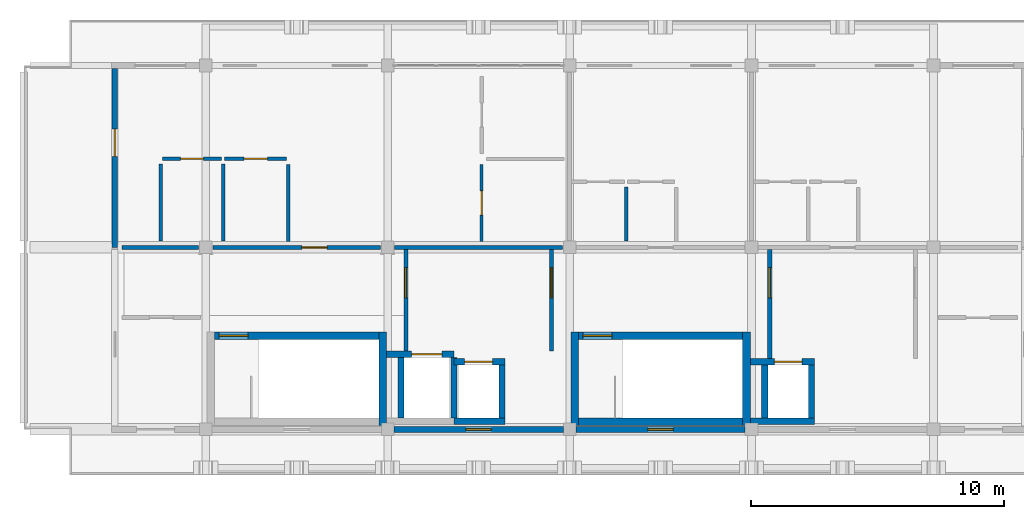
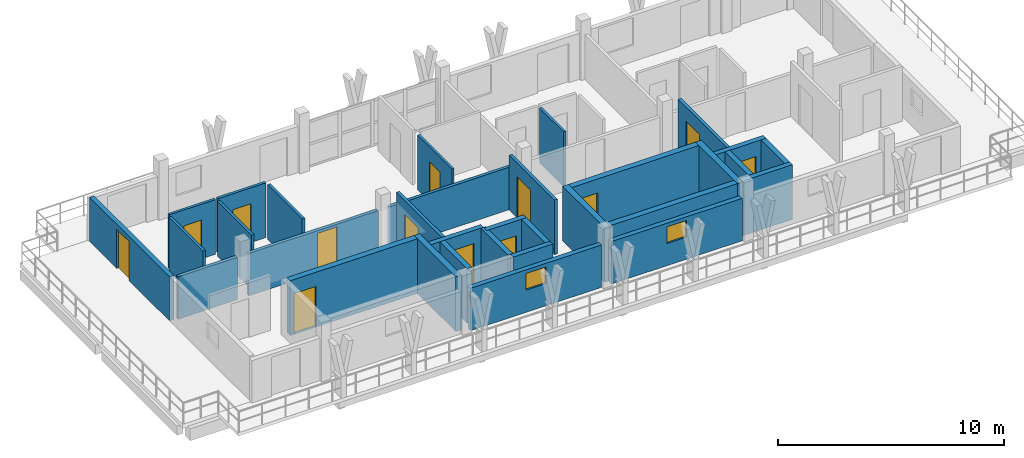
# One storey, part 4 of 7: 32 walls, 13 doors, 2 windows, 15 openings.
"""IFC4 building model written with IfcOpenShell, lengths in metres."""

from ifc_helpers import new_model, si_unit, direction, frame, frame_2d, origin, place, context, subcontext, project, spatial, rectangle, extrude, material, layer, layer_set, type_object, element, fill, save


model = new_model("IFC4")

# Units and contexts
model_context = context("Model", 3, precision=1e-05, world=origin(), true_north=direction((0.0, 1.0)))
body_context = subcontext(model_context, "Body", "Model", "MODEL_VIEW")
ifc_project = project(units=[si_unit("LENGTHUNIT", "METRE"), si_unit("AREAUNIT", "SQUARE_METRE"), si_unit("VOLUMEUNIT", "CUBIC_METRE"), si_unit("PLANEANGLEUNIT", "RADIAN"), si_unit("MASSUNIT", "GRAM", prefix="KILO")], contexts=[model_context])

# Site, building, storey
site_placement = place(None, origin())
site = spatial("IfcSite", under=ifc_project, at=site_placement, CompositionType="ELEMENT")
building_placement = place(site_placement, origin())
building = spatial("IfcBuilding", under=site, at=building_placement, Name="Suanplinth Sawtooth Commons", CompositionType="ELEMENT")
storey_placement = place(building_placement, frame((0.0, 0.0, 50.89990234375)))
storey = spatial("IfcBuildingStorey", under=building, at=storey_placement, Name="L15", CompositionType="ELEMENT", Elevation=50.89990234375)

# Wall, opening, door
ifc_material_1 = material(Name="Concrete C40/50", Category="concrete")
ifc_layer_1 = layer(ifc_material_1, 0.300048828125, Name="Standard RC stair and lift core wall 300mm")
ifc_layer_set_1 = layer_set([ifc_layer_1], Name="Concrete C40/50")
wall_type_1 = type_object("IfcWallType", Name="W-CR02", PredefinedType="SHEAR", material=ifc_layer_set_1)
wall_1_placement = place(storey_placement, frame((43.550048828125, 111.699951171875, 0.0), z_axis=(0.0, 0.0, 1.0), x_axis=(1.0, 0.0, 0.0)))
wall_1 = element("IfcWall", 1, at=wall_1_placement, inside=storey, type_object=wall_type_1, Name="W-L15-C-A1-STN", PredefinedType="SHEAR", context=body_context, shape_type="SweptSolid", body=[
    extrude(rectangle(XDim=6.5, YDim=0.300048828125, at=frame_2d((3.25, 0.0))), origin(), (0.0, 0.0, 1.0), 2.960205078125),
])
opening_1_placement = place(wall_1_placement, frame((0.179931640625, 0.0, 0.0)))
opening_1 = element("IfcOpeningElement", 2, at=opening_1_placement, cuts=wall_1, Name="Opening FD0081", PredefinedType="OPENING", context=body_context, shape_type="SweptSolid", body=[
    extrude(rectangle(XDim=1.14990234375, YDim=2.199951171875, at=frame_2d((0.574951171875, 1.10009765625))), frame((0.0, 0.1650390625, 0.0), z_axis=(0.0, -1.0, 0.0), x_axis=(1.0, 0.0, 0.0)), (0.0, 0.0, 1.0), 0.329833984375),
])
ifc_material_2 = material(Name="Teak hardwood fire-rated door assembly", Category="wood")
door_type_1 = type_object("IfcDoorType", Name="FD-01", OperationType="NOTDEFINED", PredefinedType="DOOR", material=ifc_material_2)
door_1_placement = place(opening_1_placement, frame((1.14990234375, 0.0, 0.0), z_axis=(0.0, 0.0, 1.0), x_axis=(-1.0, 0.0, 0.0)))
door_1 = element("IfcDoor", 3, at=door_1_placement, inside=storey, type_object=door_type_1, Name="Exit Stair Fire Door FD0081", OperationType="SINGLE_SWING_RIGHT", OverallHeight=2.199951171875, OverallWidth=1.14990234375, PredefinedType="DOOR", context=body_context, shape_type="SweptSolid", body=[
    extrude(rectangle(XDim=1.14990234375, YDim=2.199951171875, at=frame_2d((0.574951171875, 1.10009765625))), frame((0.0, 0.02490234375, 0.0), z_axis=(0.0, -1.0, 0.0), x_axis=(1.0, 0.0, 0.0)), (0.0, 0.0, 1.0), 0.050048828125),
])
fill(opening_1, door_1)

# Walls
wall_2_placement = place(storey_placement, frame((50.199951171875, 108.14990234375, 0.0), z_axis=(0.0, 0.0, 1.0), x_axis=(0.0, 1.0, 0.0)))
element("IfcWall", 4, at=wall_2_placement, inside=storey, type_object=wall_type_1, Name="W-L15-C-A1-STE", PredefinedType="SHEAR", context=body_context, shape_type="SweptSolid", body=[
    extrude(rectangle(XDim=3.7001953125, YDim=0.300048828125, at=frame_2d((1.85009765625, 0.0))), origin(), (0.0, 0.0, 1.0), 2.960205078125),
])
wall_3_placement = place(storey_placement, frame((57.949951171875, 108.300048828125, 0.0), z_axis=(0.0, 0.0, 1.0), x_axis=(1.0, 0.0, 0.0)))
element("IfcWall", 5, at=wall_3_placement, inside=storey, type_object=wall_type_1, Name="W-L15-C-A2-STS", PredefinedType="SHEAR", context=body_context, shape_type="SweptSolid", body=[
    extrude(rectangle(XDim=6.5, YDim=0.300048828125, at=frame_2d((3.25, 0.0))), origin(), (0.0, 0.0, 1.0), 2.960205078125),
])

# Wall, opening, door
wall_4_placement = place(storey_placement, frame((57.949951171875, 111.699951171875, 0.0), z_axis=(0.0, 0.0, 1.0), x_axis=(1.0, 0.0, 0.0)))
wall_4 = element("IfcWall", 6, at=wall_4_placement, inside=storey, type_object=wall_type_1, Name="W-L15-C-A2-STN", PredefinedType="SHEAR", context=body_context, shape_type="SweptSolid", body=[
    extrude(rectangle(XDim=6.5, YDim=0.300048828125, at=frame_2d((3.25, 0.0))), origin(), (0.0, 0.0, 1.0), 2.960205078125),
])
opening_2_placement = place(wall_4_placement, frame((0.179931640625, 0.0, 0.0)))
opening_2 = element("IfcOpeningElement", 7, at=opening_2_placement, cuts=wall_4, Name="Opening FD0150", PredefinedType="OPENING", context=body_context, shape_type="SweptSolid", body=[
    extrude(rectangle(XDim=1.14990234375, YDim=2.199951171875, at=frame_2d((0.574951171875, 1.10009765625))), frame((0.0, 0.1650390625, 0.0), z_axis=(0.0, -1.0, 0.0), x_axis=(1.0, 0.0, 0.0)), (0.0, 0.0, 1.0), 0.329833984375),
])
door_2_placement = place(opening_2_placement, frame((1.14990234375, 0.0, 0.0), z_axis=(0.0, 0.0, 1.0), x_axis=(-1.0, 0.0, 0.0)))
door_2 = element("IfcDoor", 8, at=door_2_placement, inside=storey, type_object=door_type_1, Name="Exit Stair Fire Door FD0150", OperationType="SINGLE_SWING_LEFT", OverallHeight=2.199951171875, OverallWidth=1.14990234375, PredefinedType="DOOR", context=body_context, shape_type="SweptSolid", body=[
    extrude(rectangle(XDim=1.14990234375, YDim=2.199951171875, at=frame_2d((0.574951171875, 1.10009765625))), frame((0.0, 0.02490234375, 0.0), z_axis=(0.0, -1.0, 0.0), x_axis=(1.0, 0.0, 0.0)), (0.0, 0.0, 1.0), 0.050048828125),
])
fill(opening_2, door_2)

# Walls
for number, where, z_axis, x_axis, name in (
    (9, (57.800048828125, 108.14990234375, 0.0), (0.0, 0.0, 1.0), (0.0, 1.0, 0.0), "W-L15-C-A2-STW"),
    (10, (64.60009765625, 108.14990234375, 0.0), (0.0, 0.0, 1.0), (0.0, 1.0, 0.0), "W-L15-C-A2-STE"),
):
    element("IfcWall", number, at=place(storey_placement, frame(where, z_axis=z_axis, x_axis=x_axis)), inside=storey, type_object=wall_type_1, Name=name, PredefinedType="SHEAR", context=body_context, shape_type="SweptSolid", body=[
        extrude(rectangle(XDim=3.7001953125, YDim=0.300048828125, at=frame_2d((1.85009765625, 0.0))), origin(), (0.0, 0.0, 1.0), 2.960205078125),
    ])

# Wall, opening, window
ifc_material_3 = material(Name="Precast concrete C40/50", Category="concrete")
ifc_layer_2 = layer(ifc_material_3, 0.239990234375, Name="Upper insulated precast facade wall 240mm")
ifc_layer_set_2 = layer_set([ifc_layer_2], Name="Precast concrete C40/50")
wall_type_2 = type_object("IfcWallType", Name="W-EX03", PredefinedType="ELEMENTEDWALL", material=ifc_layer_set_2)
wall_5_placement = place(storey_placement, frame((50.64990234375, 108.0, 0.0), z_axis=(0.0, 0.0, 1.0), x_axis=(1.0, 0.0, 0.0)))
wall_5 = element("IfcWall", 11, at=wall_5_placement, inside=storey, type_object=wall_type_2, Name="Courtyard Wall W-L15-A-S-2", PredefinedType="ELEMENTEDWALL", context=body_context, shape_type="SweptSolid", body=[
    extrude(rectangle(XDim=6.7001953125, YDim=0.239990234375, at=frame_2d((3.35009765625, 0.0))), origin(), (0.0, 0.0, 1.0), 2.295166015625),
])
opening_3_placement = place(wall_5_placement, frame((2.85009765625, 0.0, 1.199951171875)))
opening_3 = element("IfcOpeningElement", 12, at=opening_3_placement, cuts=wall_5, Name="Opening W0940", PredefinedType="OPENING", context=body_context, shape_type="SweptSolid", body=[
    extrude(rectangle(XDim=1.0, YDim=0.89990234375, at=frame_2d((0.5, 0.449951171875))), frame((0.0, 0.134765625, 0.0), z_axis=(0.0, -1.0, 0.0), x_axis=(1.0, 0.0, 0.0)), (0.0, 0.0, 1.0), 0.269775390625),
])
ifc_material_4 = material(Name="Thermally broken aluminium and low-E double glazing", Category="aluminium")
window_type = type_object("IfcWindowType", Name="WN-12", PartitioningType="SINGLE_PANEL", PredefinedType="WINDOW", material=ifc_material_4)
window_1_placement = place(opening_3_placement, origin())
window_1 = element("IfcWindow", 13, at=window_1_placement, inside=storey, type_object=window_type, Name="Core Daylight Window L15-A-2", OverallHeight=0.89990234375, OverallWidth=1.0, PartitioningType="SINGLE_PANEL", PredefinedType="WINDOW", context=body_context, shape_type="SweptSolid", body=[
    extrude(rectangle(XDim=1.0, YDim=0.89990234375, at=frame_2d((0.5, 0.449951171875))), frame((0.0, 0.030029296875, 0.0), z_axis=(0.0, -1.0, 0.0), x_axis=(1.0, 0.0, 0.0)), (0.0, 0.0, 1.0), 0.06005859375),
])
fill(opening_3, window_1)

wall_6_placement = place(storey_placement, frame((57.85009765625, 108.0, 0.0), z_axis=(0.0, 0.0, 1.0), x_axis=(1.0, 0.0, 0.0)))
wall_6 = element("IfcWall", 14, at=wall_6_placement, inside=storey, type_object=wall_type_2, Name="Courtyard Wall W-L15-A-S-3", PredefinedType="ELEMENTEDWALL", context=body_context, shape_type="SweptSolid", body=[
    extrude(rectangle(XDim=6.699951171875, YDim=0.239990234375, at=frame_2d((3.35009765625, 0.0))), origin(), (0.0, 0.0, 1.0), 2.295166015625),
])
opening_4_placement = place(wall_6_placement, frame((2.85009765625, 0.0, 1.199951171875)))
opening_4 = element("IfcOpeningElement", 15, at=opening_4_placement, cuts=wall_6, Name="Opening W0942", PredefinedType="OPENING", context=body_context, shape_type="SweptSolid", body=[
    extrude(rectangle(XDim=1.0, YDim=0.89990234375, at=frame_2d((0.5, 0.449951171875))), frame((0.0, 0.134765625, 0.0), z_axis=(0.0, -1.0, 0.0), x_axis=(1.0, 0.0, 0.0)), (0.0, 0.0, 1.0), 0.269775390625),
])
window_2_placement = place(opening_4_placement, origin())
window_2 = element("IfcWindow", 16, at=window_2_placement, inside=storey, type_object=window_type, Name="Core Daylight Window L15-A-3", OverallHeight=0.89990234375, OverallWidth=1.0, PartitioningType="SINGLE_PANEL", PredefinedType="WINDOW", context=body_context, shape_type="SweptSolid", body=[
    extrude(rectangle(XDim=1.0, YDim=0.89990234375, at=frame_2d((0.5, 0.449951171875))), frame((0.0, 0.030029296875, 0.0), z_axis=(0.0, -1.0, 0.0), x_axis=(1.0, 0.0, 0.0)), (0.0, 0.0, 1.0), 0.06005859375),
])
fill(opening_4, window_2)

# Wall, opening, door
ifc_layer_3 = layer(ifc_material_3, 0.22998046875, Name="Stepped terrace insulated precast wall 230mm")
ifc_layer_set_3 = layer_set([ifc_layer_3], Name="Precast concrete C40/50")
wall_type_3 = type_object("IfcWallType", Name="W-EX06", PredefinedType="ELEMENTEDWALL", material=ifc_layer_set_3)
wall_7_placement = place(storey_placement, frame((39.60009765625, 115.199951171875, 0.0), z_axis=(0.0, 0.0, 1.0), x_axis=(0.0, 1.0, 0.0)))
wall_7 = element("IfcWall", 17, at=wall_7_placement, inside=storey, type_object=wall_type_3, Name="End Wall W-L15-A-W-16", PredefinedType="ELEMENTEDWALL", context=body_context, shape_type="SweptSolid", body=[
    extrude(rectangle(XDim=7.080078125, YDim=0.22998046875, at=frame_2d((3.5400390625, 0.0))), origin(), (0.0, 0.0, 1.0), 2.39501953125),
])
opening_5_placement = place(wall_7_placement, frame((3.60009765625, 0.0, 0.0)))
opening_5 = element("IfcOpeningElement", 18, at=opening_5_placement, cuts=wall_7, Name="Opening ED0861", PredefinedType="OPENING", context=body_context, shape_type="SweptSolid", body=[
    extrude(rectangle(XDim=1.080078125, YDim=2.1201171875, at=frame_2d((0.5400390625, 1.06005859375))), frame((0.0, 0.1298828125, 0.0), z_axis=(0.0, -1.0, 0.0), x_axis=(1.0, 0.0, 0.0)), (0.0, 0.0, 1.0), 0.259765625),
])
ifc_material_5 = material(Name="Anodized aluminium and low-E glass", Category="aluminium")
door_type_2 = type_object("IfcDoorType", Name="ED-10", OperationType="NOTDEFINED", PredefinedType="DOOR", material=ifc_material_5)
door_3_placement = place(opening_5_placement, frame((1.080078125, 0.0, 0.0), z_axis=(0.0, 0.0, 1.0), x_axis=(-1.0, 0.0, 0.0)))
door_3 = element("IfcDoor", 19, at=door_3_placement, inside=storey, type_object=door_type_2, Name="L15 Block A W Stepped Terrace Door", OperationType="SINGLE_SWING_RIGHT", OverallHeight=2.1201171875, OverallWidth=1.080078125, PredefinedType="DOOR", context=body_context, shape_type="SweptSolid", body=[
    extrude(rectangle(XDim=1.080078125, YDim=2.1201171875, at=frame_2d((0.5400390625, 1.06005859375))), frame((0.0, 0.02490234375, 0.0), z_axis=(0.0, -1.0, 0.0), x_axis=(1.0, 0.0, 0.0)), (0.0, 0.0, 1.0), 0.050048828125),
])
fill(opening_5, door_3)

ifc_layer_4 = layer(ifc_material_3, 0.159912109375, Name="Fire-rated corridor and lobby wall 160mm")
ifc_layer_set_4 = layer_set([ifc_layer_4], Name="Precast concrete C40/50")
wall_type_4 = type_object("IfcWallType", Name="W-FW01", PredefinedType="PARTITIONING", material=ifc_layer_set_4)
wall_8_placement = place(storey_placement, frame((51.1201171875, 111.10009765625, 0.0), z_axis=(0.0, 0.0, 1.0), x_axis=(0.0, 1.0, 0.0)))
wall_8 = element("IfcWall", 20, at=wall_8_placement, inside=storey, type_object=wall_type_4, Name="W-L15-C-A1-LOB-W", PredefinedType="PARTITIONING", context=body_context, shape_type="SweptSolid", body=[
    extrude(rectangle(XDim=4.02001953125, YDim=0.159912109375, at=frame_2d((2.010009765625, 0.0))), origin(), (0.0, 0.0, 1.0), 2.960205078125),
])
opening_6_placement = place(wall_8_placement, frame((2.10009765625, 0.0, 0.0)))
opening_6 = element("IfcOpeningElement", 21, at=opening_6_placement, cuts=wall_8, Name="Opening FD0082", PredefinedType="OPENING", context=body_context, shape_type="SweptSolid", body=[
    extrude(rectangle(XDim=1.199951171875, YDim=2.199951171875, at=frame_2d((0.60009765625, 1.10009765625))), frame((0.0, 0.0947265625, 0.0), z_axis=(0.0, -1.0, 0.0), x_axis=(1.0, 0.0, 0.0)), (0.0, 0.0, 1.0), 0.189697265625),
])
door_type_3 = type_object("IfcDoorType", Name="FD-02", OperationType="NOTDEFINED", PredefinedType="DOOR", material=ifc_material_2)
door_4_placement = place(opening_6_placement, origin())
door_4 = element("IfcDoor", 22, at=door_4_placement, inside=storey, type_object=door_type_3, Name="Lobby Fire Door FD0082", OperationType="SINGLE_SWING_LEFT", OverallHeight=2.199951171875, OverallWidth=1.199951171875, PredefinedType="DOOR", context=body_context, shape_type="SweptSolid", body=[
    extrude(rectangle(XDim=1.199951171875, YDim=2.199951171875, at=frame_2d((0.60009765625, 1.10009765625))), frame((0.0, 0.02490234375, 0.0), z_axis=(0.0, -1.0, 0.0), x_axis=(1.0, 0.0, 0.0)), (0.0, 0.0, 1.0), 0.050048828125),
])
fill(opening_6, door_4)

wall_9_placement = place(storey_placement, frame((56.8798828125, 111.10009765625, 0.0), z_axis=(0.0, 0.0, 1.0), x_axis=(0.0, 1.0, 0.0)))
wall_9 = element("IfcWall", 23, at=wall_9_placement, inside=storey, type_object=wall_type_4, Name="W-L15-C-A1-LOB-E", PredefinedType="PARTITIONING", context=body_context, shape_type="SweptSolid", body=[
    extrude(rectangle(XDim=4.02001953125, YDim=0.159912109375, at=frame_2d((2.010009765625, 0.0))), origin(), (0.0, 0.0, 1.0), 2.960205078125),
])
opening_7_placement = place(wall_9_placement, frame((2.10009765625, 0.0, 0.0)))
opening_7 = element("IfcOpeningElement", 24, at=opening_7_placement, cuts=wall_9, Name="Opening FD0083", PredefinedType="OPENING", context=body_context, shape_type="SweptSolid", body=[
    extrude(rectangle(XDim=1.199951171875, YDim=2.199951171875, at=frame_2d((0.60009765625, 1.10009765625))), frame((0.0, 0.0947265625, 0.0), z_axis=(0.0, -1.0, 0.0), x_axis=(1.0, 0.0, 0.0)), (0.0, 0.0, 1.0), 0.189697265625),
])
door_5_placement = place(opening_7_placement, frame((1.199951171875, 0.0, 0.0), z_axis=(0.0, 0.0, 1.0), x_axis=(-1.0, 0.0, 0.0)))
door_5 = element("IfcDoor", 25, at=door_5_placement, inside=storey, type_object=door_type_3, Name="Lobby Fire Door FD0083", OperationType="SINGLE_SWING_RIGHT", OverallHeight=2.199951171875, OverallWidth=1.199951171875, PredefinedType="DOOR", context=body_context, shape_type="SweptSolid", body=[
    extrude(rectangle(XDim=1.199951171875, YDim=2.199951171875, at=frame_2d((0.60009765625, 1.10009765625))), frame((0.0, 0.02490234375, 0.0), z_axis=(0.0, -1.0, 0.0), x_axis=(1.0, 0.0, 0.0)), (0.0, 0.0, 1.0), 0.050048828125),
])
fill(opening_7, door_5)

wall_10_placement = place(storey_placement, frame((65.52001953125, 110.800048828125, 0.0), z_axis=(0.0, 0.0, 1.0), x_axis=(0.0, 1.0, 0.0)))
wall_10 = element("IfcWall", 26, at=wall_10_placement, inside=storey, type_object=wall_type_4, Name="W-L15-C-A2-LOB-W", PredefinedType="PARTITIONING", context=body_context, shape_type="SweptSolid", body=[
    extrude(rectangle(XDim=4.320068359375, YDim=0.159912109375, at=frame_2d((2.16015625, 0.0))), origin(), (0.0, 0.0, 1.0), 2.960205078125),
])
opening_8_placement = place(wall_10_placement, frame((2.39990234375, 0.0, 0.0)))
opening_8 = element("IfcOpeningElement", 27, at=opening_8_placement, cuts=wall_10, Name="Opening FD0151", PredefinedType="OPENING", context=body_context, shape_type="SweptSolid", body=[
    extrude(rectangle(XDim=1.199951171875, YDim=2.199951171875, at=frame_2d((0.60009765625, 1.10009765625))), frame((0.0, 0.0947265625, 0.0), z_axis=(0.0, -1.0, 0.0), x_axis=(1.0, 0.0, 0.0)), (0.0, 0.0, 1.0), 0.189697265625),
])
door_6_placement = place(opening_8_placement, origin())
door_6 = element("IfcDoor", 28, at=door_6_placement, inside=storey, type_object=door_type_3, Name="Lobby Fire Door FD0151", OperationType="SINGLE_SWING_RIGHT", OverallHeight=2.199951171875, OverallWidth=1.199951171875, PredefinedType="DOOR", context=body_context, shape_type="SweptSolid", body=[
    extrude(rectangle(XDim=1.199951171875, YDim=2.199951171875, at=frame_2d((0.60009765625, 1.10009765625))), frame((0.0, 0.02490234375, 0.0), z_axis=(0.0, -1.0, 0.0), x_axis=(1.0, 0.0, 0.0)), (0.0, 0.0, 1.0), 0.050048828125),
])
fill(opening_8, door_6)

# Wall
wall_11_placement = place(storey_placement, frame((39.8798828125, 115.199951171875, 0.0), z_axis=(0.0, 0.0, 1.0), x_axis=(1.0, 0.0, 0.0)))
element("IfcWall", 29, at=wall_11_placement, inside=storey, type_object=wall_type_4, Name="W-A-L15-U01-COR-S1", PredefinedType="PARTITIONING", context=body_context, shape_type="SweptSolid", body=[
    extrude(rectangle(XDim=3.0400390625, YDim=0.159912109375, at=frame_2d((1.52001953125, 0.0))), origin(), (0.0, 0.0, 1.0), 2.295166015625),
])

# Wall, opening, door
wall_12_placement = place(storey_placement, frame((43.47998046875, 115.199951171875, 0.0), z_axis=(0.0, 0.0, 1.0), x_axis=(1.0, 0.0, 0.0)))
wall_12 = element("IfcWall", 30, at=wall_12_placement, inside=storey, type_object=wall_type_4, Name="W-A-L15-U01-COR-S2", PredefinedType="PARTITIONING", context=body_context, shape_type="SweptSolid", body=[
    extrude(rectangle(XDim=6.64013671875, YDim=0.159912109375, at=frame_2d((3.320068359375, 0.0))), origin(), (0.0, 0.0, 1.0), 2.295166015625),
])
opening_9_placement = place(wall_12_placement, frame((3.52001953125, 0.0, 0.0)))
opening_9 = element("IfcOpeningElement", 31, at=opening_9_placement, cuts=wall_12, Name="Opening FD2074", PredefinedType="OPENING", context=body_context, shape_type="SweptSolid", body=[
    extrude(rectangle(XDim=1.0, YDim=2.14990234375, at=frame_2d((0.5, 1.074951171875))), frame((0.0, 0.0947265625, 0.0), z_axis=(0.0, -1.0, 0.0), x_axis=(1.0, 0.0, 0.0)), (0.0, 0.0, 1.0), 0.189697265625),
])
door_type_4 = type_object("IfcDoorType", Name="FD-03", OperationType="NOTDEFINED", PredefinedType="DOOR", material=ifc_material_2)
door_7_placement = place(opening_9_placement, origin())
door_7 = element("IfcDoor", 32, at=door_7_placement, inside=storey, type_object=door_type_4, Name="Unit Entrance Door FD2074", OperationType="SINGLE_SWING_RIGHT", OverallHeight=2.14990234375, OverallWidth=1.0, PredefinedType="DOOR", context=body_context, shape_type="SweptSolid", body=[
    extrude(rectangle(XDim=1.0, YDim=2.14990234375, at=frame_2d((0.5, 1.074951171875))), frame((0.0, 0.02490234375, 0.0), z_axis=(0.0, -1.0, 0.0), x_axis=(1.0, 0.0, 0.0)), (0.0, 0.0, 1.0), 0.050048828125),
])
fill(opening_9, door_7)

# Wall
wall_13_placement = place(storey_placement, frame((50.679931640625, 115.199951171875, 0.0), z_axis=(0.0, 0.0, 1.0), x_axis=(1.0, 0.0, 0.0)))
element("IfcWall", 33, at=wall_13_placement, inside=storey, type_object=wall_type_4, Name="W-A-L15-U01-COR-S3", PredefinedType="PARTITIONING", context=body_context, shape_type="SweptSolid", body=[
    extrude(rectangle(XDim=6.64013671875, YDim=0.159912109375, at=frame_2d((3.320068359375, 0.0))), origin(), (0.0, 0.0, 1.0), 2.295166015625),
])

# Wall, opening, door
ifc_material_6 = material(Name="Gypsum plasterboard on steel stud", Category="steel")
ifc_layer_5 = layer(ifc_material_6, 0.139892578125, Name="Fire-rated kitchen partition 140mm")
ifc_layer_set_5 = layer_set([ifc_layer_5], Name="Gypsum plasterboard on steel stud")
wall_type_5 = type_object("IfcWallType", Name="W-PT01", PredefinedType="PARTITIONING", material=ifc_layer_set_5)
wall_14_placement = place(storey_placement, frame((43.949951171875, 118.7099609375, 0.0), z_axis=(0.0, 0.0, 1.0), x_axis=(1.0, 0.0, 0.0)))
wall_14 = element("IfcWall", 34, at=wall_14_placement, inside=storey, type_object=wall_type_5, Name="W-A-L15-U01-KIT1", PredefinedType="PARTITIONING", context=body_context, shape_type="SweptSolid", body=[
    extrude(rectangle(XDim=2.449951171875, YDim=0.139892578125, at=frame_2d((1.22509765625, 0.0))), origin(), (0.0, 0.0, 1.0), 2.960205078125),
])
opening_10_placement = place(wall_14_placement, frame((0.764892578125, 0.0, 0.0)))
opening_10 = element("IfcOpeningElement", 35, at=opening_10_placement, cuts=wall_14, Name="Opening D2076", PredefinedType="OPENING", context=body_context, shape_type="SweptSolid", body=[
    extrude(rectangle(XDim=0.919921875, YDim=2.10009765625, at=frame_2d((0.4599609375, 1.050048828125))), frame((0.0, 0.0849609375, 0.0), z_axis=(0.0, -1.0, 0.0), x_axis=(1.0, 0.0, 0.0)), (0.0, 0.0, 1.0), 0.169677734375),
])
ifc_material_7 = material(Name="Teak hardwood", Category="wood")
door_type_5 = type_object("IfcDoorType", Name="D-02", OperationType="NOTDEFINED", PredefinedType="DOOR", material=ifc_material_7)
door_8_placement = place(opening_10_placement, frame((0.919921875, 0.0, 0.0), z_axis=(0.0, 0.0, 1.0), x_axis=(-1.0, 0.0, 0.0)))
door_8 = element("IfcDoor", 36, at=door_8_placement, inside=storey, type_object=door_type_5, Name="Kitchen Door D2076", OperationType="SINGLE_SWING_RIGHT", OverallHeight=2.10009765625, OverallWidth=0.919921875, PredefinedType="DOOR", context=body_context, shape_type="SweptSolid", body=[
    extrude(rectangle(XDim=0.919921875, YDim=2.10009765625, at=frame_2d((0.4599609375, 1.050048828125))), frame((0.0, 0.02490234375, 0.0), z_axis=(0.0, -1.0, 0.0), x_axis=(1.0, 0.0, 0.0)), (0.0, 0.0, 1.0), 0.050048828125),
])
fill(opening_10, door_8)

# Wall
wall_15_placement = place(storey_placement, frame((46.469970703125, 115.429931640625, 0.0), z_axis=(0.0, 0.0, 1.0), x_axis=(0.0, 1.0, 0.0)))
element("IfcWall", 37, at=wall_15_placement, inside=storey, type_object=wall_type_5, Name="W-A-L15-U01-KIT2", PredefinedType="PARTITIONING", context=body_context, shape_type="SweptSolid", body=[
    extrude(rectangle(XDim=3.06005859375, YDim=0.139892578125, at=frame_2d((1.530029296875, 0.0))), origin(), (0.0, 0.0, 1.0), 2.960205078125),
])

# Wall, opening, door
ifc_layer_6 = layer(ifc_material_6, 0.1298828125, Name="Moisture-resistant bathroom partition 130mm")
ifc_layer_set_6 = layer_set([ifc_layer_6], Name="Gypsum plasterboard on steel stud")
wall_type_6 = type_object("IfcWallType", Name="W-PT02", PredefinedType="PARTITIONING", material=ifc_layer_set_6)
wall_16_placement = place(storey_placement, frame((41.47998046875, 118.705078125, 0.0), z_axis=(0.0, 0.0, 1.0), x_axis=(1.0, 0.0, 0.0)))
wall_16 = element("IfcWall", 38, at=wall_16_placement, inside=storey, type_object=wall_type_6, Name="W-A-L15-U01-BTH1", PredefinedType="PARTITIONING", context=body_context, shape_type="SweptSolid", body=[
    extrude(rectangle(XDim=2.35009765625, YDim=0.1298828125, at=frame_2d((1.175048828125, 0.0))), origin(), (0.0, 0.0, 1.0), 2.960205078125),
])
opening_11_placement = place(wall_16_placement, frame((0.72509765625, 0.0, 0.0)))
opening_11 = element("IfcOpeningElement", 39, at=opening_11_placement, cuts=wall_16, Name="Opening D2075", PredefinedType="OPENING", context=body_context, shape_type="SweptSolid", body=[
    extrude(rectangle(XDim=0.89990234375, YDim=2.10009765625, at=frame_2d((0.449951171875, 1.050048828125))), frame((0.0, 0.079833984375, 0.0), z_axis=(0.0, -1.0, 0.0), x_axis=(1.0, 0.0, 0.0)), (0.0, 0.0, 1.0), 0.15966796875),
])
door_type_6 = type_object("IfcDoorType", Name="D-01", OperationType="NOTDEFINED", PredefinedType="DOOR", material=ifc_material_7)
door_9_placement = place(opening_11_placement, frame((0.89990234375, 0.0, 0.0), z_axis=(0.0, 0.0, 1.0), x_axis=(-1.0, 0.0, 0.0)))
door_9 = element("IfcDoor", 40, at=door_9_placement, inside=storey, type_object=door_type_6, Name="Bathroom Door D2075", OperationType="SINGLE_SWING_LEFT", OverallHeight=2.10009765625, OverallWidth=0.89990234375, PredefinedType="DOOR", context=body_context, shape_type="SweptSolid", body=[
    extrude(rectangle(XDim=0.89990234375, YDim=2.10009765625, at=frame_2d((0.449951171875, 1.050048828125))), frame((0.0, 0.02490234375, 0.0), z_axis=(0.0, -1.0, 0.0), x_axis=(1.0, 0.0, 0.0)), (0.0, 0.0, 1.0), 0.050048828125),
])
fill(opening_11, door_9)

# Walls
for number, where, z_axis, x_axis, name in (
    (41, (43.89501953125, 115.4599609375, 0.0), (0.0, 0.0, 1.0), (0.0, 1.0, 0.0), "W-A-L15-U01-BTH2"),
    (42, (41.4150390625, 115.4599609375, 0.0), (0.0, 0.0, 1.0), (0.0, 1.0, 0.0), "W-A-L15-U01-BTH3"),
):
    element("IfcWall", number, at=place(storey_placement, frame(where, z_axis=z_axis, x_axis=x_axis)), inside=storey, type_object=wall_type_6, Name=name, PredefinedType="PARTITIONING", context=body_context, shape_type="SweptSolid", body=[
        extrude(rectangle(XDim=3.0400390625, YDim=0.1298828125, at=frame_2d((1.52001953125, 0.0))), origin(), (0.0, 0.0, 1.0), 2.960205078125),
    ])
wall_17_placement = place(storey_placement, frame((59.844970703125, 115.4599609375, 0.0), z_axis=(0.0, 0.0, 1.0), x_axis=(0.0, 1.0, 0.0)))
element("IfcWall", 43, at=wall_17_placement, inside=storey, type_object=wall_type_6, Name="W-A-L15-U02-BTH2", PredefinedType="PARTITIONING", context=body_context, shape_type="SweptSolid", body=[
    extrude(rectangle(XDim=2.130126953125, YDim=0.1298828125, at=frame_2d((1.06494140625, 0.0))), origin(), (0.0, 0.0, 1.0), 2.960205078125),
])

# Wall, opening, door
ifc_layer_7 = layer(ifc_material_6, 0.1201171875, Name="Acoustic bedroom partition 120mm")
ifc_layer_set_7 = layer_set([ifc_layer_7], Name="Gypsum plasterboard on steel stud")
wall_type_7 = type_object("IfcWallType", Name="W-PT03", PredefinedType="PARTITIONING", material=ifc_layer_set_7)
wall_18_placement = place(storey_placement, frame((54.1201171875, 115.43994140625, 0.0), z_axis=(0.0, 0.0, 1.0), x_axis=(0.0, 1.0, 0.0)))
wall_18 = element("IfcWall", 44, at=wall_18_placement, inside=storey, type_object=wall_type_7, Name="W-A-L15-U01-BED2", PredefinedType="PARTITIONING", context=body_context, shape_type="SweptSolid", body=[
    extrude(rectangle(XDim=3.0400390625, YDim=0.1201171875, at=frame_2d((1.52001953125, 0.0))), origin(), (0.0, 0.0, 1.0), 2.960205078125),
])
opening_12_placement = place(wall_18_placement, frame((1.0400390625, 0.0, 0.0)))
opening_12 = element("IfcOpeningElement", 45, at=opening_12_placement, cuts=wall_18, Name="Opening D2078", PredefinedType="OPENING", context=body_context, shape_type="SweptSolid", body=[
    extrude(rectangle(XDim=0.9599609375, YDim=2.14990234375, at=frame_2d((0.47998046875, 1.074951171875))), frame((0.0, 0.074951171875, 0.0), z_axis=(0.0, -1.0, 0.0), x_axis=(1.0, 0.0, 0.0)), (0.0, 0.0, 1.0), 0.14990234375),
])
door_type_7 = type_object("IfcDoorType", Name="D-13", OperationType="NOTDEFINED", PredefinedType="DOOR", material=ifc_material_7)
door_10_placement = place(opening_12_placement, frame((0.9599609375, 0.0, 0.0), z_axis=(0.0, 0.0, 1.0), x_axis=(-1.0, 0.0, 0.0)))
door_10 = element("IfcDoor", 46, at=door_10_placement, inside=storey, type_object=door_type_7, Name="Second Bedroom Door D2078", OperationType="SINGLE_SWING_RIGHT", OverallHeight=2.14990234375, OverallWidth=0.9599609375, PredefinedType="DOOR", context=body_context, shape_type="SweptSolid", body=[
    extrude(rectangle(XDim=0.9599609375, YDim=2.14990234375, at=frame_2d((0.47998046875, 1.074951171875))), frame((0.0, 0.02490234375, 0.0), z_axis=(0.0, -1.0, 0.0), x_axis=(1.0, 0.0, 0.0)), (0.0, 0.0, 1.0), 0.050048828125),
])
fill(opening_12, door_10)

ifc_layer_8 = layer(ifc_material_3, 0.25, Name="Precast structural shear wall 250mm")
ifc_layer_set_8 = layer_set([ifc_layer_8], Name="Precast concrete C40/50")
wall_type_8 = type_object("IfcWallType", Name="W-SH01", PredefinedType="SHEAR", material=ifc_layer_set_8)
wall_19_placement = place(storey_placement, frame((50.35009765625, 110.97509765625, 0.0), z_axis=(0.0, 0.0, 1.0), x_axis=(1.0, 0.0, 0.0)))
wall_19 = element("IfcWall", 47, at=wall_19_placement, inside=storey, type_object=wall_type_8, Name="W-L15-FL1-N", PredefinedType="SHEAR", context=body_context, shape_type="SweptSolid", body=[
    extrude(rectangle(XDim=2.6748046875, YDim=0.25, at=frame_2d((1.33740234375, 0.0))), origin(), (0.0, 0.0, 1.0), 2.960205078125),
])
opening_13_placement = place(wall_19_placement, frame((1.0, 0.0, 0.0)))
opening_13 = element("IfcOpeningElement", 48, at=opening_13_placement, cuts=wall_19, Name="Opening LD0084", PredefinedType="OPENING", context=body_context, shape_type="SweptSolid", body=[
    extrude(rectangle(XDim=1.199951171875, YDim=2.25, at=frame_2d((0.60009765625, 1.125))), frame((0.0, 0.139892578125, 0.0), z_axis=(0.0, -1.0, 0.0), x_axis=(1.0, 0.0, 0.0)), (0.0, 0.0, 1.0), 0.27978515625),
])
ifc_material_8 = material(Name="Stainless steel Grade 304", Category="steel")
door_type_8 = type_object("IfcDoorType", Name="LD-02", OperationType="SLIDING_TO_LEFT", PredefinedType="DOOR", material=ifc_material_8)
door_11_placement = place(opening_13_placement, origin())
door_11 = element("IfcDoor", 49, at=door_11_placement, inside=storey, type_object=door_type_8, Name="Lift Landing Sliding Door FL1 L15", OperationType="SLIDING_TO_LEFT", OverallHeight=2.25, OverallWidth=1.199951171875, PredefinedType="DOOR", context=body_context, shape_type="SweptSolid", body=[
    extrude(rectangle(XDim=1.199951171875, YDim=2.25, at=frame_2d((0.60009765625, 1.125))), frame((0.0, 0.02490234375, 0.0), z_axis=(0.0, -1.0, 0.0), x_axis=(1.0, 0.0, 0.0)), (0.0, 0.0, 1.0), 0.050048828125),
])
fill(opening_13, door_11)

# Walls
for number, where, z_axis, x_axis, name in (
    (50, (50.925048828125, 108.449951171875, 0.0), (0.0, 0.0, 1.0), (0.0, 1.0, 0.0), "W-L15-FL1-W"),
    (51, (53.02490234375, 108.449951171875, 0.0), (0.0, 0.0, 1.0), (0.0, 1.0, 0.0), "W-L15-FL1-DIV"),
):
    element("IfcWall", number, at=place(storey_placement, frame(where, z_axis=z_axis, x_axis=x_axis)), inside=storey, type_object=wall_type_8, Name=name, PredefinedType="SHEAR", context=body_context, shape_type="SweptSolid", body=[
        extrude(rectangle(XDim=2.400146484375, YDim=0.25, at=frame_2d((1.2001953125, 0.0))), origin(), (0.0, 0.0, 1.0), 2.960205078125),
    ])
wall_20_placement = place(storey_placement, frame((53.02490234375, 108.324951171875, 0.0), z_axis=(0.0, 0.0, 1.0), x_axis=(1.0, 0.0, 0.0)))
element("IfcWall", 52, at=wall_20_placement, inside=storey, type_object=wall_type_8, Name="W-L15-LF1-S", PredefinedType="SHEAR", context=body_context, shape_type="SweptSolid", body=[
    extrude(rectangle(XDim=2.025146484375, YDim=0.25, at=frame_2d((1.0126953125, 0.0))), origin(), (0.0, 0.0, 1.0), 2.960205078125),
])

# Wall, opening, door
wall_21_placement = place(storey_placement, frame((53.02490234375, 110.675048828125, 0.0), z_axis=(0.0, 0.0, 1.0), x_axis=(1.0, 0.0, 0.0)))
wall_21 = element("IfcWall", 53, at=wall_21_placement, inside=storey, type_object=wall_type_8, Name="W-L15-LF1-N", PredefinedType="SHEAR", context=body_context, shape_type="SweptSolid", body=[
    extrude(rectangle(XDim=2.025146484375, YDim=0.25, at=frame_2d((1.0126953125, 0.0))), origin(), (0.0, 0.0, 1.0), 2.960205078125),
])
opening_14_placement = place(wall_21_placement, frame((0.425048828125, 0.0, 0.0)))
opening_14 = element("IfcOpeningElement", 54, at=opening_14_placement, cuts=wall_21, Name="Opening LD0085", PredefinedType="OPENING", context=body_context, shape_type="SweptSolid", body=[
    extrude(rectangle(XDim=1.10009765625, YDim=2.14990234375, at=frame_2d((0.550048828125, 1.074951171875))), frame((0.0, 0.139892578125, 0.0), z_axis=(0.0, -1.0, 0.0), x_axis=(1.0, 0.0, 0.0)), (0.0, 0.0, 1.0), 0.27978515625),
])
door_type_9 = type_object("IfcDoorType", Name="LD-01", OperationType="SLIDING_TO_LEFT", PredefinedType="DOOR", material=ifc_material_8)
door_12_placement = place(opening_14_placement, origin())
door_12 = element("IfcDoor", 55, at=door_12_placement, inside=storey, type_object=door_type_9, Name="Lift Landing Sliding Door LF1 L15", OperationType="SLIDING_TO_LEFT", OverallHeight=2.14990234375, OverallWidth=1.10009765625, PredefinedType="DOOR", context=body_context, shape_type="SweptSolid", body=[
    extrude(rectangle(XDim=1.10009765625, YDim=2.14990234375, at=frame_2d((0.550048828125, 1.074951171875))), frame((0.0, 0.02490234375, 0.0), z_axis=(0.0, -1.0, 0.0), x_axis=(1.0, 0.0, 0.0)), (0.0, 0.0, 1.0), 0.050048828125),
])
fill(opening_14, door_12)

# Walls
wall_22_placement = place(storey_placement, frame((54.925048828125, 108.449951171875, 0.0), z_axis=(0.0, 0.0, 1.0), x_axis=(0.0, 1.0, 0.0)))
element("IfcWall", 56, at=wall_22_placement, inside=storey, type_object=wall_type_8, Name="W-L15-LF1-E", PredefinedType="SHEAR", context=body_context, shape_type="SweptSolid", body=[
    extrude(rectangle(XDim=2.10009765625, YDim=0.25, at=frame_2d((1.050048828125, 0.0))), origin(), (0.0, 0.0, 1.0), 2.960205078125),
])
wall_23_placement = place(storey_placement, frame((64.75, 108.324951171875, 0.0), z_axis=(0.0, 0.0, 1.0), x_axis=(1.0, 0.0, 0.0)))
element("IfcWall", 57, at=wall_23_placement, inside=storey, type_object=wall_type_8, Name="W-L15-LF2-S", PredefinedType="SHEAR", context=body_context, shape_type="SweptSolid", body=[
    extrude(rectangle(XDim=2.550048828125, YDim=0.25, at=frame_2d((1.27490234375, 0.0))), origin(), (0.0, 0.0, 1.0), 2.960205078125),
])

# Wall, opening, door
wall_24_placement = place(storey_placement, frame((64.75, 110.675048828125, 0.0), z_axis=(0.0, 0.0, 1.0), x_axis=(1.0, 0.0, 0.0)))
wall_24 = element("IfcWall", 58, at=wall_24_placement, inside=storey, type_object=wall_type_8, Name="W-L15-LF2-N", PredefinedType="SHEAR", context=body_context, shape_type="SweptSolid", body=[
    extrude(rectangle(XDim=2.550048828125, YDim=0.25, at=frame_2d((1.27490234375, 0.0))), origin(), (0.0, 0.0, 1.0), 2.960205078125),
])
opening_15_placement = place(wall_24_placement, frame((0.949951171875, 0.0, 0.0)))
opening_15 = element("IfcOpeningElement", 59, at=opening_15_placement, cuts=wall_24, Name="Opening LD0153", PredefinedType="OPENING", context=body_context, shape_type="SweptSolid", body=[
    extrude(rectangle(XDim=1.10009765625, YDim=2.14990234375, at=frame_2d((0.550048828125, 1.074951171875))), frame((0.0, 0.139892578125, 0.0), z_axis=(0.0, -1.0, 0.0), x_axis=(1.0, 0.0, 0.0)), (0.0, 0.0, 1.0), 0.27978515625),
])
door_13_placement = place(opening_15_placement, origin())
door_13 = element("IfcDoor", 60, at=door_13_placement, inside=storey, type_object=door_type_9, Name="Lift Landing Sliding Door LF2 L15", OperationType="SLIDING_TO_LEFT", OverallHeight=2.14990234375, OverallWidth=1.10009765625, PredefinedType="DOOR", context=body_context, shape_type="SweptSolid", body=[
    extrude(rectangle(XDim=1.10009765625, YDim=2.14990234375, at=frame_2d((0.550048828125, 1.074951171875))), frame((0.0, 0.02490234375, 0.0), z_axis=(0.0, -1.0, 0.0), x_axis=(1.0, 0.0, 0.0)), (0.0, 0.0, 1.0), 0.050048828125),
])
fill(opening_15, door_13)

# Walls
for number, where, z_axis, x_axis, name in (
    (61, (65.324951171875, 108.449951171875, 0.0), (0.0, 0.0, 1.0), (0.0, 1.0, 0.0), "W-L15-LF2-W"),
    (62, (67.175048828125, 108.449951171875, 0.0), (0.0, 0.0, 1.0), (0.0, 1.0, 0.0), "W-L15-LF2-E"),
):
    element("IfcWall", number, at=place(storey_placement, frame(where, z_axis=z_axis, x_axis=x_axis)), inside=storey, type_object=wall_type_8, Name=name, PredefinedType="SHEAR", context=body_context, shape_type="SweptSolid", body=[
        extrude(rectangle(XDim=2.10009765625, YDim=0.25, at=frame_2d((1.050048828125, 0.0))), origin(), (0.0, 0.0, 1.0), 2.960205078125),
    ])

save(model, "model.ifc")
